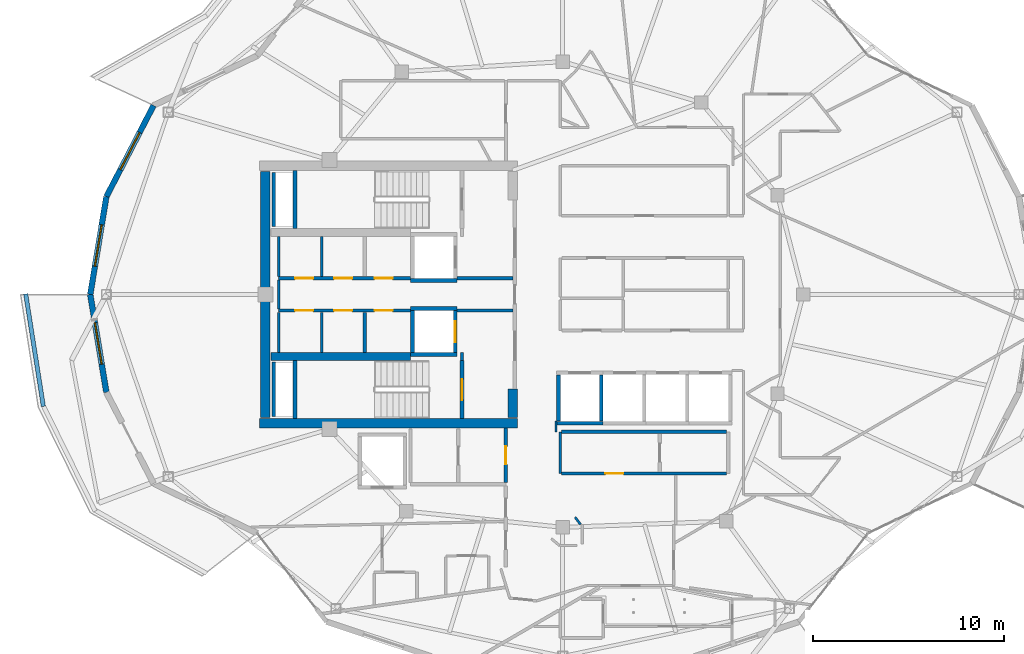
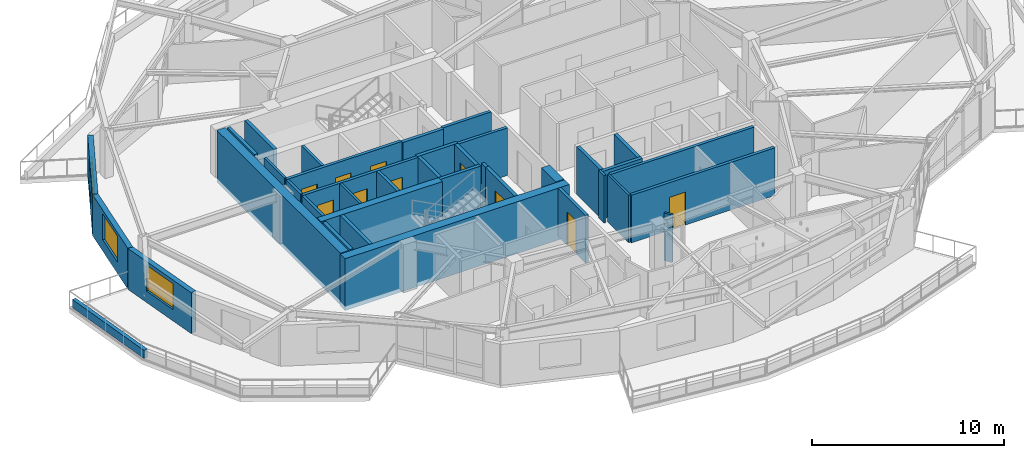
# One storey, part 9 of 21: 38 walls, 10 doors, 3 windows, 13 openings.
"""IFC4 building model written with IfcOpenShell, lengths in metres."""

from ifc_helpers import new_model, si_unit, direction, frame, frame_2d, origin, place, context, subcontext, project, spatial, rectangle, extrude, material, layer, layer_set, type_object, element, fill, save


model = new_model("IFC4")

# Units and contexts
model_context = context("Model", 3, precision=1e-05, world=origin(), true_north=direction((0.0, 1.0)))
body_context = subcontext(model_context, "Body", "Model", "MODEL_VIEW")
ifc_project = project(units=[si_unit("LENGTHUNIT", "METRE"), si_unit("AREAUNIT", "SQUARE_METRE"), si_unit("VOLUMEUNIT", "CUBIC_METRE"), si_unit("PLANEANGLEUNIT", "RADIAN"), si_unit("MASSUNIT", "GRAM", prefix="KILO")], contexts=[model_context])

# Site, building, storey
site_placement = place(None, origin())
site = spatial("IfcSite", under=ifc_project, at=site_placement, CompositionType="ELEMENT")
building_placement = place(site_placement, origin())
building = spatial("IfcBuilding", under=site, at=building_placement, Name="Kolvaren Gate Tower and Convention Centre", CompositionType="ELEMENT")
storey_placement = place(building_placement, frame((0.0, 0.0, 226.10009765625)))
storey = spatial("IfcBuildingStorey", under=building, at=storey_placement, Name="L60", CompositionType="ELEMENT", Elevation=226.10009765625)

# Wall
ifc_material_1 = material(Name="Autoclaved Aerated Masonry Blockwork Class 4 (4.0 MPa)", Category="masonry")
ifc_layer_1 = layer(ifc_material_1, 0.179931640625)
ifc_layer_set_1 = layer_set([ifc_layer_1], Name="Autoclaved Aerated Masonry Blockwork Class 4 (4.0 MPa)")
wall_type_1 = type_object("IfcWallType", Name="ARCH-WL-COMP-180", PredefinedType="SOLIDWALL", material=ifc_layer_set_1)
wall_1_placement = place(storey_placement, frame((24.85009765625, 23.5400390625, 0.0), z_axis=(0.0, 0.0, 1.0), x_axis=(0.0, 1.0, 0.0)))
element("IfcWall", 1, at=wall_1_placement, inside=storey, type_object=wall_type_1, Name="Interior Partition WL-L60-INT-001", PredefinedType="SOLIDWALL", context=body_context, shape_type="SweptSolid", body=[
    extrude(rectangle(XDim=0.419921875, YDim=0.179931640625, at=frame_2d((0.2099609375, 0.0))), origin(), (0.0, 0.0, 1.0), 3.02978515625),
])

# Wall, openings, doors
wall_2_placement = place(storey_placement, frame((15.25, 27.840087890625, 0.0), z_axis=(0.0, 0.0, 1.0), x_axis=(1.0, 0.0, 0.0)))
wall_2 = element("IfcWall", 2, at=wall_2_placement, inside=storey, type_object=wall_type_1, Name="Interior Partition WL-L60-INT-004", PredefinedType="SOLIDWALL", context=body_context, shape_type="SweptSolid", body=[
    extrude(rectangle(XDim=6.89990234375, YDim=0.179931640625, at=frame_2d((3.449951171875, 0.0))), origin(), (0.0, 0.0, 1.0), 3.02978515625),
])
opening_1_placement = place(wall_2_placement, frame((5.02001953125, 0.0, 0.0)))
opening_1 = element("IfcOpeningElement", 3, at=opening_1_placement, cuts=wall_2, Name="Opening DR-01", PredefinedType="OPENING", context=body_context, shape_type="SweptSolid", body=[
    extrude(rectangle(XDim=0.949951171875, YDim=2.10009765625, at=frame_2d((0.47509765625, 1.050048828125))), frame((0.0, 0.099853515625, 0.0), z_axis=(0.0, -1.0, 0.0), x_axis=(1.0, 0.0, 0.0)), (0.0, 0.0, 1.0), 0.199951171875),
])
opening_2_placement = place(wall_2_placement, frame((0.85498046875, 0.0, 0.0)))
opening_2 = element("IfcOpeningElement", 4, at=opening_2_placement, cuts=wall_2, Name="Opening DR-01", PredefinedType="OPENING", context=body_context, shape_type="SweptSolid", body=[
    extrude(rectangle(XDim=0.949951171875, YDim=2.10009765625, at=frame_2d((0.47509765625, 1.050048828125))), frame((0.0, 0.099853515625, 0.0), z_axis=(0.0, -1.0, 0.0), x_axis=(1.0, 0.0, 0.0)), (0.0, 0.0, 1.0), 0.199951171875),
])
opening_3_placement = place(wall_2_placement, frame((2.89990234375, 0.0, 0.0)))
opening_3 = element("IfcOpeningElement", 5, at=opening_3_placement, cuts=wall_2, Name="Opening DR-01", PredefinedType="OPENING", context=body_context, shape_type="SweptSolid", body=[
    extrude(rectangle(XDim=0.949951171875, YDim=2.10009765625, at=frame_2d((0.47509765625, 1.050048828125))), frame((0.0, 0.099853515625, 0.0), z_axis=(0.0, -1.0, 0.0), x_axis=(1.0, 0.0, 0.0)), (0.0, 0.0, 1.0), 0.199951171875),
])
ifc_material_2 = material(Name="Painted Architectural Steelwork ASTM A500 Grade C 345 MPa", Category="steel")
door_type_1 = type_object("IfcDoorType", Name="ARCH-DR-RISER-950", OperationType="SINGLE_SWING_RIGHT", PredefinedType="DOOR", material=ifc_material_2)
door_1_placement = place(opening_1_placement, origin())
door_1 = element("IfcDoor", 6, at=door_1_placement, inside=storey, type_object=door_type_1, Name="Electrical Switchgear Closet Door", OperationType="SINGLE_SWING_RIGHT", OverallHeight=2.10009765625, OverallWidth=0.949951171875, PredefinedType="DOOR", context=body_context, shape_type="SweptSolid", body=[
    extrude(rectangle(XDim=0.949951171875, YDim=2.10009765625, at=frame_2d((0.47509765625, 1.050048828125))), frame((0.0, 0.02490234375, 0.0), z_axis=(0.0, -1.0, 0.0), x_axis=(1.0, 0.0, 0.0)), (0.0, 0.0, 1.0), 0.050048828125),
])
fill(opening_1, door_1)
door_2_placement = place(opening_2_placement, origin())
door_2 = element("IfcDoor", 7, at=door_2_placement, inside=storey, type_object=door_type_1, Name="Staff Accessible WC Door", OperationType="SINGLE_SWING_RIGHT", OverallHeight=2.10009765625, OverallWidth=0.949951171875, PredefinedType="DOOR", context=body_context, shape_type="SweptSolid", body=[
    extrude(rectangle(XDim=0.949951171875, YDim=2.10009765625, at=frame_2d((0.47509765625, 1.050048828125))), frame((0.0, 0.02490234375, 0.0), z_axis=(0.0, -1.0, 0.0), x_axis=(1.0, 0.0, 0.0)), (0.0, 0.0, 1.0), 0.050048828125),
])
fill(opening_2, door_2)
door_3_placement = place(opening_3_placement, origin())
door_3 = element("IfcDoor", 8, at=door_3_placement, inside=storey, type_object=door_type_1, Name="Housekeeping Sink Closet Door", OperationType="SINGLE_SWING_LEFT", OverallHeight=2.10009765625, OverallWidth=0.949951171875, PredefinedType="DOOR", context=body_context, shape_type="SweptSolid", body=[
    extrude(rectangle(XDim=0.949951171875, YDim=2.10009765625, at=frame_2d((0.47509765625, 1.050048828125))), frame((0.0, 0.02490234375, 0.0), z_axis=(0.0, -1.0, 0.0), x_axis=(1.0, 0.0, 0.0)), (0.0, 0.0, 1.0), 0.050048828125),
])
fill(opening_3, door_3)

# Wall
wall_3_placement = place(storey_placement, frame((24.60009765625, 27.840087890625, 0.0), z_axis=(0.0, 0.0, 1.0), x_axis=(1.0, 0.0, 0.0)))
element("IfcWall", 9, at=wall_3_placement, inside=storey, type_object=wall_type_1, Name="Interior Partition WL-L60-INT-004 (2)", PredefinedType="SOLIDWALL", context=body_context, shape_type="SweptSolid", body=[
    extrude(rectangle(XDim=2.927978515625, YDim=0.179931640625, at=frame_2d((1.4638671875, 0.0))), origin(), (0.0, 0.0, 1.0), 3.02978515625),
])

# Wall, openings, doors
wall_4_placement = place(storey_placement, frame((15.25, 26.159912109375, 0.0), z_axis=(0.0, 0.0, 1.0), x_axis=(1.0, 0.0, 0.0)))
wall_4 = element("IfcWall", 10, at=wall_4_placement, inside=storey, type_object=wall_type_1, Name="Interior Partition WL-L60-INT-005", PredefinedType="SOLIDWALL", context=body_context, shape_type="SweptSolid", body=[
    extrude(rectangle(XDim=6.89990234375, YDim=0.179931640625, at=frame_2d((3.449951171875, 0.0))), origin(), (0.0, 0.0, 1.0), 3.02978515625),
])
opening_4_placement = place(wall_4_placement, frame((5.02001953125, 0.0, 0.0)))
opening_4 = element("IfcOpeningElement", 11, at=opening_4_placement, cuts=wall_4, Name="Opening DR-01", PredefinedType="OPENING", context=body_context, shape_type="SweptSolid", body=[
    extrude(rectangle(XDim=0.949951171875, YDim=2.10009765625, at=frame_2d((0.47509765625, 1.050048828125))), frame((0.0, 0.099853515625, 0.0), z_axis=(0.0, -1.0, 0.0), x_axis=(1.0, 0.0, 0.0)), (0.0, 0.0, 1.0), 0.199951171875),
])
opening_5_placement = place(wall_4_placement, frame((0.85498046875, 0.0, 0.0)))
opening_5 = element("IfcOpeningElement", 12, at=opening_5_placement, cuts=wall_4, Name="Opening DR-01", PredefinedType="OPENING", context=body_context, shape_type="SweptSolid", body=[
    extrude(rectangle(XDim=0.949951171875, YDim=2.10009765625, at=frame_2d((0.47509765625, 1.050048828125))), frame((0.0, 0.099853515625, 0.0), z_axis=(0.0, -1.0, 0.0), x_axis=(1.0, 0.0, 0.0)), (0.0, 0.0, 1.0), 0.199951171875),
])
opening_6_placement = place(wall_4_placement, frame((2.89990234375, 0.0, 0.0)))
opening_6 = element("IfcOpeningElement", 13, at=opening_6_placement, cuts=wall_4, Name="Opening DR-01", PredefinedType="OPENING", context=body_context, shape_type="SweptSolid", body=[
    extrude(rectangle(XDim=0.949951171875, YDim=2.10009765625, at=frame_2d((0.47509765625, 1.050048828125))), frame((0.0, 0.099853515625, 0.0), z_axis=(0.0, -1.0, 0.0), x_axis=(1.0, 0.0, 0.0)), (0.0, 0.0, 1.0), 0.199951171875),
])
door_4_placement = place(opening_4_placement, origin())
door_4 = element("IfcDoor", 14, at=door_4_placement, inside=storey, type_object=door_type_1, Name="Domestic Water Meter Closet Door", OperationType="SINGLE_SWING_LEFT", OverallHeight=2.10009765625, OverallWidth=0.949951171875, PredefinedType="DOOR", context=body_context, shape_type="SweptSolid", body=[
    extrude(rectangle(XDim=0.949951171875, YDim=2.10009765625, at=frame_2d((0.47509765625, 1.050048828125))), frame((0.0, 0.02490234375, 0.0), z_axis=(0.0, -1.0, 0.0), x_axis=(1.0, 0.0, 0.0)), (0.0, 0.0, 1.0), 0.050048828125),
])
fill(opening_4, door_4)
door_5_placement = place(opening_5_placement, origin())
door_5 = element("IfcDoor", 15, at=door_5_placement, inside=storey, type_object=door_type_1, Name="Beverage Service Pantry Door", OperationType="SINGLE_SWING_RIGHT", OverallHeight=2.10009765625, OverallWidth=0.949951171875, PredefinedType="DOOR", context=body_context, shape_type="SweptSolid", body=[
    extrude(rectangle(XDim=0.949951171875, YDim=2.10009765625, at=frame_2d((0.47509765625, 1.050048828125))), frame((0.0, 0.02490234375, 0.0), z_axis=(0.0, -1.0, 0.0), x_axis=(1.0, 0.0, 0.0)), (0.0, 0.0, 1.0), 0.050048828125),
])
fill(opening_5, door_5)
door_6_placement = place(opening_6_placement, origin())
door_6 = element("IfcDoor", 16, at=door_6_placement, inside=storey, type_object=door_type_1, Name="Archive Supply Closet Door", OperationType="SINGLE_SWING_LEFT", OverallHeight=2.10009765625, OverallWidth=0.949951171875, PredefinedType="DOOR", context=body_context, shape_type="SweptSolid", body=[
    extrude(rectangle(XDim=0.949951171875, YDim=2.10009765625, at=frame_2d((0.47509765625, 1.050048828125))), frame((0.0, 0.02490234375, 0.0), z_axis=(0.0, -1.0, 0.0), x_axis=(1.0, 0.0, 0.0)), (0.0, 0.0, 1.0), 0.050048828125),
])
fill(opening_6, door_6)

# Walls
wall_5_placement = place(storey_placement, frame((24.60009765625, 26.159912109375, 0.0), z_axis=(0.0, 0.0, 1.0), x_axis=(1.0, 0.0, 0.0)))
element("IfcWall", 17, at=wall_5_placement, inside=storey, type_object=wall_type_1, Name="Interior Partition WL-L60-INT-005 (2)", PredefinedType="SOLIDWALL", context=body_context, shape_type="SweptSolid", body=[
    extrude(rectangle(XDim=2.927978515625, YDim=0.179931640625, at=frame_2d((1.4638671875, 0.0))), origin(), (0.0, 0.0, 1.0), 3.02978515625),
])
wall_6_placement = place(storey_placement, frame((19.75, 23.9619140625, 0.0), z_axis=(0.0, 0.0, 1.0), x_axis=(0.0, 1.0, 0.0)))
element("IfcWall", 18, at=wall_6_placement, inside=storey, type_object=wall_type_1, Name="Interior Partition WL-L60-INT-007", PredefinedType="SOLIDWALL", context=body_context, shape_type="SweptSolid", body=[
    extrude(rectangle(XDim=2.106201171875, YDim=0.179931640625, at=frame_2d((1.05322265625, 0.0))), origin(), (0.0, 0.0, 1.0), 3.02978515625),
])

# Wall, opening, door
wall_7_placement = place(storey_placement, frame((27.14990234375, 17.14208984375, 0.0), z_axis=(0.0, 0.0, 1.0), x_axis=(0.0, 1.0, 0.0)))
wall_7 = element("IfcWall", 19, at=wall_7_placement, inside=storey, type_object=wall_type_1, Name="Interior Partition WL-L60-INT-014 (2)", PredefinedType="SOLIDWALL", context=body_context, shape_type="SweptSolid", body=[
    extrude(rectangle(XDim=2.85595703125, YDim=0.179931640625, at=frame_2d((1.427978515625, 0.0))), origin(), (0.0, 0.0, 1.0), 3.02978515625),
])
opening_7_placement = place(wall_7_placement, frame((0.952880859375, 0.0, 0.0)))
opening_7 = element("IfcOpeningElement", 20, at=opening_7_placement, cuts=wall_7, Name="Opening DR-01", PredefinedType="OPENING", context=body_context, shape_type="SweptSolid", body=[
    extrude(rectangle(XDim=0.949951171875, YDim=2.10009765625, at=frame_2d((0.47509765625, 1.050048828125))), frame((0.0, 0.099853515625, 0.0), z_axis=(0.0, -1.0, 0.0), x_axis=(1.0, 0.0, 0.0)), (0.0, 0.0, 1.0), 0.199951171875),
])
door_7_placement = place(opening_7_placement, origin())
door_7 = element("IfcDoor", 21, at=door_7_placement, inside=storey, type_object=door_type_1, Name="Metering Switch Room Door", OperationType="SINGLE_SWING_RIGHT", OverallHeight=2.10009765625, OverallWidth=0.949951171875, PredefinedType="DOOR", context=body_context, shape_type="SweptSolid", body=[
    extrude(rectangle(XDim=0.949951171875, YDim=2.10009765625, at=frame_2d((0.47509765625, 1.050048828125))), frame((0.0, 0.02490234375, 0.0), z_axis=(0.0, -1.0, 0.0), x_axis=(1.0, 0.0, 0.0)), (0.0, 0.0, 1.0), 0.050048828125),
])
fill(opening_7, door_7)

wall_8_placement = place(storey_placement, frame((30.06201171875, 17.6201171875, 0.0), z_axis=(0.0, 0.0, 1.0), x_axis=(1.0, 0.0, 0.0)))
wall_8 = element("IfcWall", 22, at=wall_8_placement, inside=storey, type_object=wall_type_1, Name="Interior Partition WL-L60-INT-031", PredefinedType="SOLIDWALL", context=body_context, shape_type="SweptSolid", body=[
    extrude(rectangle(XDim=8.64599609375, YDim=0.179931640625, at=frame_2d((4.322998046875, 0.0))), origin(), (0.0, 0.0, 1.0), 3.02978515625),
])
opening_8_placement = place(wall_8_placement, frame((2.299072265625, 0.0, 0.0)))
opening_8 = element("IfcOpeningElement", 23, at=opening_8_placement, cuts=wall_8, Name="Opening DR-01", PredefinedType="OPENING", context=body_context, shape_type="SweptSolid", body=[
    extrude(rectangle(XDim=0.949951171875, YDim=2.10009765625, at=frame_2d((0.47509765625, 1.050048828125))), frame((0.0, 0.099853515625, 0.0), z_axis=(0.0, -1.0, 0.0), x_axis=(1.0, 0.0, 0.0)), (0.0, 0.0, 1.0), 0.199951171875),
])
door_8_placement = place(opening_8_placement, origin())
door_8 = element("IfcDoor", 24, at=door_8_placement, inside=storey, type_object=door_type_1, Name="Resident Quiet Library Door", OperationType="SINGLE_SWING_RIGHT", OverallHeight=2.10009765625, OverallWidth=0.949951171875, PredefinedType="DOOR", context=body_context, shape_type="SweptSolid", body=[
    extrude(rectangle(XDim=0.949951171875, YDim=2.10009765625, at=frame_2d((0.47509765625, 1.050048828125))), frame((0.0, 0.02490234375, 0.0), z_axis=(0.0, -1.0, 0.0), x_axis=(1.0, 0.0, 0.0)), (0.0, 0.0, 1.0), 0.050048828125),
])
fill(opening_8, door_8)

# Walls
wall_9_placement = place(storey_placement, frame((30.06201171875, 19.800048828125, 0.0), z_axis=(0.0, 0.0, 1.0), x_axis=(1.0, 0.0, 0.0)))
element("IfcWall", 25, at=wall_9_placement, inside=storey, type_object=wall_type_1, Name="Interior Partition WL-L60-INT-032", PredefinedType="SOLIDWALL", context=body_context, shape_type="SweptSolid", body=[
    extrude(rectangle(XDim=8.64599609375, YDim=0.179931640625, at=frame_2d((4.322998046875, 0.0))), origin(), (0.0, 0.0, 1.0), 3.02978515625),
])
ifc_material_3 = material(Name="Fire-Rated Acoustic Gypsum Stud Partition", Category="gypsum")
ifc_layer_2 = layer(ifc_material_3, 0.1201171875)
ifc_layer_set_2 = layer_set([ifc_layer_2], Name="Fire-Rated Acoustic Gypsum Stud Partition")
wall_type_2 = type_object("IfcWallType", Name="ARCH-WL-PART-120", PredefinedType="PARTITIONING", material=ifc_layer_set_2)
wall_10_placement = place(storey_placement, frame((30.0, 17.6201171875, 0.0), z_axis=(0.0, 0.0, 1.0), x_axis=(0.0, 1.0, 0.0)))
element("IfcWall", 26, at=wall_10_placement, inside=storey, type_object=wall_type_2, Name="Interior Partition WL-L60-INT-018", PredefinedType="PARTITIONING", context=body_context, shape_type="SweptSolid", body=[
    extrude(rectangle(XDim=2.179931640625, YDim=0.1201171875, at=frame_2d((1.08984375, 0.0))), origin(), (0.0, 0.0, 1.0), 3.02978515625),
])
wall_11_placement = place(storey_placement, frame((29.780029296875, 19.800048828125, 0.0), z_axis=(0.0, 0.0, 1.0), x_axis=(0.0, 1.0, 0.0)))
element("IfcWall", 27, at=wall_11_placement, inside=storey, type_object=wall_type_2, Name="Interior Partition WL-L60-INT-065", PredefinedType="PARTITIONING", context=body_context, shape_type="SweptSolid", body=[
    extrude(rectangle(XDim=0.56005859375, YDim=0.1201171875, at=frame_2d((0.280029296875, 0.0))), origin(), (0.0, 0.0, 1.0), 3.02978515625),
])
wall_12_placement = place(storey_placement, frame((30.77392578125, 15.3330078125, 0.0), z_axis=(0.0, 0.0, 1.0), x_axis=(0.595814974861, -0.803121731577, 0.0)))
element("IfcWall", 28, at=wall_12_placement, inside=storey, type_object=wall_type_2, Name="Interior Partition WL-L60-INT-074", PredefinedType="PARTITIONING", context=body_context, shape_type="SweptSolid", body=[
    extrude(rectangle(XDim=0.47705078125, YDim=0.1201171875, at=frame_2d((0.238525390625, 0.0))), origin(), (0.0, 0.0, 1.0), 3.02978515625),
])
ifc_material_4 = material(Name="Piedmont Cream Honed Limestone Cladding", Category="masonry")
ifc_layer_3 = layer(ifc_material_4, 0.219970703125)
ifc_layer_set_3 = layer_set([ifc_layer_3], Name="Piedmont Cream Honed Limestone Cladding")
wall_type_3 = type_object("IfcWallType", Name="ARCH-WL-PLANTER-220", PredefinedType="PARAPET", material=ifc_layer_set_3)
wall_13_placement = place(storey_placement, frame((1.993408203125, 27.029296875, 0.0), z_axis=(0.0, 0.0, 1.0), x_axis=(0.1550711793, -0.987903299595, 0.0)))
element("IfcWall", 29, at=wall_13_placement, inside=storey, type_object=wall_type_3, Name="Vertical-Forest Balcony Stone Planter Kerb PK-L60-2.1", PredefinedType="PARAPET", context=body_context, shape_type="SweptSolid", body=[
    extrude(rectangle(XDim=5.963623046875, YDim=0.219970703125, at=frame_2d((2.98193359375, 0.0))), origin(), (0.0, 0.0, 1.0), 0.52001953125),
])
ifc_layer_4 = layer(ifc_material_1, 0.199951171875)
ifc_layer_set_4 = layer_set([ifc_layer_4], Name="Autoclaved Aerated Masonry Blockwork Class 4 (4.0 MPa)")
wall_type_4 = type_object("IfcWallType", Name="ARCH-WL-SHAFT-200", PredefinedType="SOLIDWALL", material=ifc_layer_set_4)
for number, where, z_axis, x_axis, name in (
    (30, (22.14990234375, 27.739990234375, 0.0), (0.0, 0.0, 1.0), (1.0, 0.0, 0.0), "Elevator FF-01 L60 Fire Shaft Wall S"),
    (31, (22.14990234375, 26.260009765625, 0.0), (0.0, 0.0, 1.0), (1.0, 0.0, 0.0), "Elevator FF-02 L60 Fire Shaft Wall N"),
    (32, (22.14990234375, 23.860107421875, 0.0), (0.0, 0.0, 1.0), (1.0, 0.0, 0.0), "Elevator FF-02 L60 Fire Shaft Wall S"),
):
    element("IfcWall", number, at=place(storey_placement, frame(where, z_axis=z_axis, x_axis=x_axis)), inside=storey, type_object=wall_type_4, Name=name, PredefinedType="SOLIDWALL", context=body_context, shape_type="SweptSolid", body=[
        extrude(rectangle(XDim=2.4501953125, YDim=0.199951171875, at=frame_2d((1.22509765625, 0.0))), origin(), (0.0, 0.0, 1.0), 3.02978515625),
    ])
wall_14_placement = place(storey_placement, frame((22.25, 23.969970703125, 0.0), z_axis=(0.0, 0.0, 1.0), x_axis=(0.0, 1.0, 0.0)))
element("IfcWall", 33, at=wall_14_placement, inside=storey, type_object=wall_type_4, Name="Elevator FF-02 L60 Fire Shaft Wall W", PredefinedType="SOLIDWALL", context=body_context, shape_type="SweptSolid", body=[
    extrude(rectangle(XDim=2.179931640625, YDim=0.199951171875, at=frame_2d((1.08984375, 0.0))), origin(), (0.0, 0.0, 1.0), 3.02978515625),
])

# Wall, opening, door
wall_15_placement = place(storey_placement, frame((24.5, 23.969970703125, 0.0), z_axis=(0.0, 0.0, 1.0), x_axis=(0.0, 1.0, 0.0)))
wall_15 = element("IfcWall", 34, at=wall_15_placement, inside=storey, type_object=wall_type_4, Name="Elevator FF-02 L60 Fire Shaft Wall E", PredefinedType="SOLIDWALL", context=body_context, shape_type="SweptSolid", body=[
    extrude(rectangle(XDim=2.179931640625, YDim=0.199951171875, at=frame_2d((1.08984375, 0.0))), origin(), (0.0, 0.0, 1.0), 3.02978515625),
])
opening_9_placement = place(wall_15_placement, frame((0.5400390625, 0.0, 0.0)))
opening_9 = element("IfcOpeningElement", 35, at=opening_9_placement, cuts=wall_15, Name="Opening LD", PredefinedType="OPENING", context=body_context, shape_type="SweptSolid", body=[
    extrude(rectangle(XDim=1.10009765625, YDim=2.199951171875, at=frame_2d((0.550048828125, 1.10009765625))), frame((0.0, 0.10986328125, 0.0), z_axis=(0.0, -1.0, 0.0), x_axis=(1.0, 0.0, 0.0)), (0.0, 0.0, 1.0), 0.219970703125),
])
ifc_material_5 = material(Name="Brushed Stainless Steel Grade 316L", Category="steel")
door_type_2 = type_object("IfcDoorType", Name="ARCH-DR-LIFT-1100", OperationType="SLIDING_TO_LEFT", PredefinedType="DOOR", material=ifc_material_5)
door_9_placement = place(opening_9_placement, origin())
door_9 = element("IfcDoor", 36, at=door_9_placement, inside=storey, type_object=door_type_2, Name="Elevator FF-02 L60 Sliding Landing Door", OperationType="SLIDING_TO_LEFT", OverallHeight=2.199951171875, OverallWidth=1.10009765625, PredefinedType="DOOR", context=body_context, shape_type="SweptSolid", body=[
    extrude(rectangle(XDim=1.10009765625, YDim=2.199951171875, at=frame_2d((0.550048828125, 1.10009765625))), frame((0.0, 0.02490234375, 0.0), z_axis=(0.0, -1.0, 0.0), x_axis=(1.0, 0.0, 0.0)), (0.0, 0.0, 1.0), 0.050048828125),
])
fill(opening_9, door_9)

# Walls
wall_16_placement = place(storey_placement, frame((29.800048828125, 20.25, 0.0), z_axis=(0.0, 0.0, 1.0), x_axis=(1.0, 0.0, 0.0)))
element("IfcWall", 37, at=wall_16_placement, inside=storey, type_object=wall_type_4, Name="Elevator PL-09 L60 Fire Shaft Wall S", PredefinedType="SOLIDWALL", context=body_context, shape_type="SweptSolid", body=[
    extrude(rectangle(XDim=2.449951171875, YDim=0.199951171875, at=frame_2d((1.22509765625, 0.0))), origin(), (0.0, 0.0, 1.0), 3.02978515625),
])
for number, where, z_axis, x_axis, name in (
    (38, (29.89990234375, 20.360107421875, 0.0), (0.0, 0.0, 1.0), (0.0, 1.0, 0.0), "Elevator PL-09 L60 Fire Shaft Wall W"),
    (39, (32.14990234375, 20.360107421875, 0.0), (0.0, 0.0, 1.0), (0.0, 1.0, 0.0), "Elevator PL-09 L60 Fire Shaft Wall E"),
):
    element("IfcWall", number, at=place(storey_placement, frame(where, z_axis=z_axis, x_axis=x_axis)), inside=storey, type_object=wall_type_4, Name=name, PredefinedType="SOLIDWALL", context=body_context, shape_type="SweptSolid", body=[
        extrude(rectangle(XDim=2.429931640625, YDim=0.199951171875, at=frame_2d((1.21484375, 0.0))), origin(), (0.0, 0.0, 1.0), 3.02978515625),
    ])
for number, where, z_axis, x_axis, name in (
    (40, (14.989990234375, 30.550048828125, 0.0), (0.0, 0.0, 1.0), (0.0, 1.0, 0.0), "Vertical Shaft HVR L60 EI-120 Enclosure Wall W"),
    (41, (14.989990234375, 20.60009765625, 0.0), (0.0, 0.0, 1.0), (0.0, 1.0, 0.0), "Vertical Shaft MPR L60 EI-120 Enclosure Wall W"),
):
    element("IfcWall", number, at=place(storey_placement, frame(where, z_axis=z_axis, x_axis=x_axis)), inside=storey, type_object=wall_type_4, Name=name, PredefinedType="SOLIDWALL", context=body_context, shape_type="SweptSolid", body=[
        extrude(rectangle(XDim=2.849853515625, YDim=0.199951171875, at=frame_2d((1.4248046875, 0.0))), origin(), (0.0, 0.0, 1.0), 3.02978515625),
    ])

# Wall, opening, window
ifc_layer_5 = layer(ifc_material_4, 0.300048828125)
ifc_layer_set_5 = layer_set([ifc_layer_5], Name="Piedmont Cream Honed Limestone Cladding")
wall_type_5 = type_object("IfcWallType", Name="ARCH-WL-STONE-300", PredefinedType="SOLIDWALL", material=ifc_layer_set_5)
wall_17_placement = place(storey_placement, frame((6.21826171875, 32.12451171875, 0.0), z_axis=(0.0, 0.0, 1.0), x_axis=(0.459808219482, 0.888018243786, 0.0)))
wall_17 = element("IfcWall", 42, at=wall_17_placement, inside=storey, type_object=wall_type_5, Name="Tower L60 Honed Stone Spandrel Wall EW-10", PredefinedType="SOLIDWALL", context=body_context, shape_type="SweptSolid", body=[
    extrude(rectangle(XDim=5.377685546875, YDim=0.300048828125, at=frame_2d((2.68896484375, 0.0))), origin(), (0.0, 0.0, 1.0), 2.60498046875),
])
opening_10_placement = place(wall_17_placement, frame((1.589111328125, 0.0, 0.719970703125)))
opening_10 = element("IfcOpeningElement", 43, at=opening_10_placement, cuts=wall_17, Name="Opening W-03", PredefinedType="OPENING", context=body_context, shape_type="SweptSolid", body=[
    extrude(rectangle(XDim=2.199951171875, YDim=1.64990234375, at=frame_2d((1.10009765625, 0.824951171875))), frame((0.0, 0.159912109375, 0.0), z_axis=(0.0, -1.0, 0.0), x_axis=(1.0, 0.0, 0.0)), (0.0, 0.0, 1.0), 0.320068359375),
])
ifc_material_6 = material(Name="Low-E Triple Insulated Glazing Unit 44 mm", Category="glass")
window_type = type_object("IfcWindowType", Name="ARCH-WN-RES-2200", PartitioningType="SINGLE_PANEL", PredefinedType="WINDOW", material=ifc_material_6)
window_1_placement = place(opening_10_placement, origin())
window_1 = element("IfcWindow", 44, at=window_1_placement, inside=storey, type_object=window_type, Name="Tower L60 Punched Stone Facade Window W-10", OverallHeight=1.64990234375, OverallWidth=2.199951171875, PartitioningType="SINGLE_PANEL", PredefinedType="WINDOW", context=body_context, shape_type="SweptSolid", body=[
    extrude(rectangle(XDim=2.199951171875, YDim=1.64990234375, at=frame_2d((1.10009765625, 0.824951171875))), frame((0.0, 0.030029296875, 0.0), z_axis=(0.0, -1.0, 0.0), x_axis=(1.0, 0.0, 0.0)), (0.0, 0.0, 1.0), 0.06005859375),
])
fill(opening_10, window_1)

wall_18_placement = place(storey_placement, frame((5.375, 27.0, 0.0), z_axis=(0.0, 0.0, 1.0), x_axis=(0.16237087798, 0.986729799886, 0.0)))
wall_18 = element("IfcWall", 45, at=wall_18_placement, inside=storey, type_object=wall_type_5, Name="Tower L60 Honed Stone Spandrel Wall EW-11", PredefinedType="SOLIDWALL", context=body_context, shape_type="SweptSolid", body=[
    extrude(rectangle(XDim=5.193359375, YDim=0.300048828125, at=frame_2d((2.5966796875, 0.0))), origin(), (0.0, 0.0, 1.0), 2.60498046875),
])
opening_11_placement = place(wall_18_placement, frame((1.4970703125, 0.0, 0.719970703125)))
opening_11 = element("IfcOpeningElement", 46, at=opening_11_placement, cuts=wall_18, Name="Opening W-03", PredefinedType="OPENING", context=body_context, shape_type="SweptSolid", body=[
    extrude(rectangle(XDim=2.199951171875, YDim=1.64990234375, at=frame_2d((1.10009765625, 0.824951171875))), frame((0.0, 0.159912109375, 0.0), z_axis=(0.0, -1.0, 0.0), x_axis=(1.0, 0.0, 0.0)), (0.0, 0.0, 1.0), 0.320068359375),
])
window_2_placement = place(opening_11_placement, origin())
window_2 = element("IfcWindow", 47, at=window_2_placement, inside=storey, type_object=window_type, Name="Tower L60 Punched Stone Facade Window W-11", OverallHeight=1.64990234375, OverallWidth=2.199951171875, PartitioningType="SINGLE_PANEL", PredefinedType="WINDOW", context=body_context, shape_type="SweptSolid", body=[
    extrude(rectangle(XDim=2.199951171875, YDim=1.64990234375, at=frame_2d((1.10009765625, 0.824951171875))), frame((0.0, 0.030029296875, 0.0), z_axis=(0.0, -1.0, 0.0), x_axis=(1.0, 0.0, 0.0)), (0.0, 0.0, 1.0), 0.06005859375),
])
fill(opening_11, window_2)

wall_19_placement = place(storey_placement, frame((5.375, 27.0, 0.0), z_axis=(0.0, 0.0, 1.0), x_axis=(0.16237087798, -0.986729799886, 0.0)))
wall_19 = element("IfcWall", 48, at=wall_19_placement, inside=storey, type_object=wall_type_5, Name="Tower L60 Honed Stone Spandrel Wall EW-12", PredefinedType="SOLIDWALL", context=body_context, shape_type="SweptSolid", body=[
    extrude(rectangle(XDim=5.193359375, YDim=0.300048828125, at=frame_2d((2.5966796875, 0.0))), origin(), (0.0, 0.0, 1.0), 2.60498046875),
])
opening_12_placement = place(wall_19_placement, frame((1.4970703125, 0.0, 0.719970703125)))
opening_12 = element("IfcOpeningElement", 49, at=opening_12_placement, cuts=wall_19, Name="Opening W-03", PredefinedType="OPENING", context=body_context, shape_type="SweptSolid", body=[
    extrude(rectangle(XDim=2.199951171875, YDim=1.64990234375, at=frame_2d((1.10009765625, 0.824951171875))), frame((0.0, 0.159912109375, 0.0), z_axis=(0.0, -1.0, 0.0), x_axis=(1.0, 0.0, 0.0)), (0.0, 0.0, 1.0), 0.320068359375),
])
window_3_placement = place(opening_12_placement, origin())
window_3 = element("IfcWindow", 50, at=window_3_placement, inside=storey, type_object=window_type, Name="Tower L60 Punched Stone Facade Window W-12", OverallHeight=1.64990234375, OverallWidth=2.199951171875, PartitioningType="SINGLE_PANEL", PredefinedType="WINDOW", context=body_context, shape_type="SweptSolid", body=[
    extrude(rectangle(XDim=2.199951171875, YDim=1.64990234375, at=frame_2d((1.10009765625, 0.824951171875))), frame((0.0, 0.030029296875, 0.0), z_axis=(0.0, -1.0, 0.0), x_axis=(1.0, 0.0, 0.0)), (0.0, 0.0, 1.0), 0.06005859375),
])
fill(opening_12, window_3)

# Walls
ifc_material_7 = material(Name="Moisture-Resistant Cement-Board Acoustic Partition", Category="gypsum")
ifc_layer_6 = layer(ifc_material_7, 0.14990234375)
ifc_layer_set_6 = layer_set([ifc_layer_6], Name="Moisture-Resistant Cement-Board Acoustic Partition")
wall_type_6 = type_object("IfcWallType", Name="ARCH-WL-WET-150", PredefinedType="PARTITIONING", material=ifc_layer_set_6)
wall_20_placement = place(storey_placement, frame((15.25, 23.9619140625, 0.0), z_axis=(0.0, 0.0, 1.0), x_axis=(0.0, 1.0, 0.0)))
element("IfcWall", 51, at=wall_20_placement, inside=storey, type_object=wall_type_6, Name="Interior Partition WL-L60-INT-006", PredefinedType="PARTITIONING", context=body_context, shape_type="SweptSolid", body=[
    extrude(rectangle(XDim=2.106201171875, YDim=0.14990234375, at=frame_2d((1.05322265625, 0.0))), origin(), (0.0, 0.0, 1.0), 3.02978515625),
])
wall_21_placement = place(storey_placement, frame((15.25, 26.251953125, 0.0), z_axis=(0.0, 0.0, 1.0), x_axis=(0.0, 1.0, 0.0)))
element("IfcWall", 52, at=wall_21_placement, inside=storey, type_object=wall_type_6, Name="Interior Partition WL-L60-INT-006 (2)", PredefinedType="PARTITIONING", context=body_context, shape_type="SweptSolid", body=[
    extrude(rectangle(XDim=1.49609375, YDim=0.14990234375, at=frame_2d((0.748046875, 0.0))), origin(), (0.0, 0.0, 1.0), 3.02978515625),
])
for number, where, z_axis, x_axis, name in (
    (53, (15.25, 27.931884765625, 0.0), (0.0, 0.0, 1.0), (0.0, 1.0, 0.0), "Interior Partition WL-L60-INT-006 (3)"),
    (54, (17.5, 23.9619140625, 0.0), (0.0, 0.0, 1.0), (0.0, 1.0, 0.0), "Interior Partition WL-L60-INT-009"),
    (55, (17.5, 27.931884765625, 0.0), (0.0, 0.0, 1.0), (0.0, 1.0, 0.0), "Interior Partition WL-L60-INT-010"),
):
    element("IfcWall", number, at=place(storey_placement, frame(where, z_axis=z_axis, x_axis=x_axis)), inside=storey, type_object=wall_type_6, Name=name, PredefinedType="PARTITIONING", context=body_context, shape_type="SweptSolid", body=[
        extrude(rectangle(XDim=2.106201171875, YDim=0.14990234375, at=frame_2d((1.05322265625, 0.0))), origin(), (0.0, 0.0, 1.0), 3.02978515625),
    ])
ifc_material_8 = material(Name="Concrete C50/60", Category="concrete")
ifc_layer_7 = layer(ifc_material_8, 0.419921875)
ifc_layer_set_7 = layer_set([ifc_layer_7], Name="Concrete C50/60")
wall_type_7 = type_object("IfcWallType", Name="STR-WL-CONV-420", PredefinedType="SHEAR", material=ifc_layer_set_7)
wall_22_placement = place(storey_placement, frame((14.85009765625, 23.75, -0.27001953125), z_axis=(0.0, 0.0, 1.0), x_axis=(1.0, 0.0, 0.0)))
element("IfcWall", 56, at=wall_22_placement, inside=storey, type_object=wall_type_7, Name="Tower L60 Offset Core Shear Wall WS", PredefinedType="SHEAR", context=body_context, shape_type="SweptSolid", body=[
    extrude(rectangle(XDim=7.2998046875, YDim=0.419921875, at=frame_2d((3.64990234375, 0.0))), origin(), (0.0, 0.0, 1.0), 3.2998046875),
])
ifc_layer_8 = layer(ifc_material_8, 0.5)
ifc_layer_set_8 = layer_set([ifc_layer_8], Name="Concrete C50/60")
wall_type_8 = type_object("IfcWallType", Name="STR-WL-CORE-500", PredefinedType="SHEAR", material=ifc_layer_set_8)
wall_23_placement = place(storey_placement, frame((14.25, 20.25, -0.27001953125), z_axis=(0.0, 0.0, 1.0), x_axis=(1.0, 0.0, 0.0)))
element("IfcWall", 57, at=wall_23_placement, inside=storey, type_object=wall_type_8, Name="Tower L60 Offset Core Shear Wall S", PredefinedType="SHEAR", context=body_context, shape_type="SweptSolid", body=[
    extrude(rectangle(XDim=13.5, YDim=0.5, at=frame_2d((6.75, 0.0))), origin(), (0.0, 0.0, 1.0), 3.2998046875),
])
wall_24_placement = place(storey_placement, frame((14.550048828125, 20.550048828125, -0.27001953125), z_axis=(0.0, 0.0, 1.0), x_axis=(0.0, 1.0, 0.0)))
element("IfcWall", 58, at=wall_24_placement, inside=storey, type_object=wall_type_8, Name="Tower L60 Offset Core Shear Wall W", PredefinedType="SHEAR", context=body_context, shape_type="SweptSolid", body=[
    extrude(rectangle(XDim=12.89990234375, YDim=0.5, at=frame_2d((6.449951171875, 0.0))), origin(), (0.0, 0.0, 1.0), 3.2998046875),
])
wall_25_placement = place(storey_placement, frame((27.5, 20.550048828125, -0.27001953125), z_axis=(0.0, 0.0, 1.0), x_axis=(0.0, 1.0, 0.0)))
element("IfcWall", 59, at=wall_25_placement, inside=storey, type_object=wall_type_8, Name="Tower L60 Offset Core Shear Wall ES", PredefinedType="SHEAR", context=body_context, shape_type="SweptSolid", body=[
    extrude(rectangle(XDim=1.5, YDim=0.5, at=frame_2d((0.75, 0.0))), origin(), (0.0, 0.0, 1.0), 3.2998046875),
])
ifc_layer_9 = layer(ifc_material_8, 0.199951171875)
ifc_layer_set_9 = layer_set([ifc_layer_9], Name="Concrete C50/60")
wall_type_9 = type_object("IfcWallType", Name="STR-WL-SHAFT-200", PredefinedType="SHEAR", material=ifc_layer_set_9)
wall_26_placement = place(storey_placement, frame((16.10009765625, 30.4619140625, -0.27001953125), z_axis=(0.0, 0.0, 1.0), x_axis=(0.0, 1.0, 0.0)))
element("IfcWall", 60, at=wall_26_placement, inside=storey, type_object=wall_type_9, Name="Tower North Exit Stair ST-T1 L60 Structural Shear Enclosure Wall FAR", PredefinedType="SHEAR", context=body_context, shape_type="SweptSolid", body=[
    extrude(rectangle(XDim=3.0361328125, YDim=0.199951171875, at=frame_2d((1.51806640625, 0.0))), origin(), (0.0, 0.0, 1.0), 3.2998046875),
])

# Wall, opening, door
wall_27_placement = place(storey_placement, frame((24.85009765625, 20.501953125, -0.27001953125), z_axis=(0.0, 0.0, 1.0), x_axis=(0.0, 1.0, 0.0)))
wall_27 = element("IfcWall", 61, at=wall_27_placement, inside=storey, type_object=wall_type_9, Name="Tower South Exit Stair ST-T2 L60 Structural Shear Enclosure Wall NEAR", PredefinedType="SHEAR", context=body_context, shape_type="SweptSolid", body=[
    extrude(rectangle(XDim=3.0380859375, YDim=0.199951171875, at=frame_2d((1.51904296875, 0.0))), origin(), (0.0, 0.0, 1.0), 3.2998046875),
])
opening_13_placement = place(wall_27_placement, frame((0.968994140625, 0.0, 0.27001953125)))
opening_13 = element("IfcOpeningElement", 62, at=opening_13_placement, cuts=wall_27, Name="Opening DS-01", PredefinedType="OPENING", context=body_context, shape_type="SweptSolid", body=[
    extrude(rectangle(XDim=1.10009765625, YDim=2.14990234375, at=frame_2d((0.550048828125, 1.074951171875))), frame((0.0, 0.10986328125, 0.0), z_axis=(0.0, -1.0, 0.0), x_axis=(1.0, 0.0, 0.0)), (0.0, 0.0, 1.0), 0.219970703125),
])
door_type_3 = type_object("IfcDoorType", Name="ARCH-DR-STAIR-1100", OperationType="SINGLE_SWING_LEFT", PredefinedType="DOOR", material=ifc_material_2)
door_10_placement = place(opening_13_placement, origin())
door_10 = element("IfcDoor", 63, at=door_10_placement, inside=storey, type_object=door_type_3, Name="Tower South Exit Stair ST-T2 L60 Fire Exit Stair Door", OperationType="SINGLE_SWING_RIGHT", OverallHeight=2.14990234375, OverallWidth=1.10009765625, PredefinedType="DOOR", context=body_context, shape_type="SweptSolid", body=[
    extrude(rectangle(XDim=1.10009765625, YDim=2.14990234375, at=frame_2d((0.550048828125, 1.074951171875))), frame((0.0, 0.02490234375, 0.0), z_axis=(0.0, -1.0, 0.0), x_axis=(1.0, 0.0, 0.0)), (0.0, 0.0, 1.0), 0.050048828125),
])
fill(opening_13, door_10)

# Wall
wall_28_placement = place(storey_placement, frame((16.10009765625, 20.501953125, -0.27001953125), z_axis=(0.0, 0.0, 1.0), x_axis=(0.0, 1.0, 0.0)))
element("IfcWall", 64, at=wall_28_placement, inside=storey, type_object=wall_type_9, Name="Tower South Exit Stair ST-T2 L60 Structural Shear Enclosure Wall FAR", PredefinedType="SHEAR", context=body_context, shape_type="SweptSolid", body=[
    extrude(rectangle(XDim=3.0361328125, YDim=0.199951171875, at=frame_2d((1.51806640625, 0.0))), origin(), (0.0, 0.0, 1.0), 3.2998046875),
])

save(model, "model.ifc")
